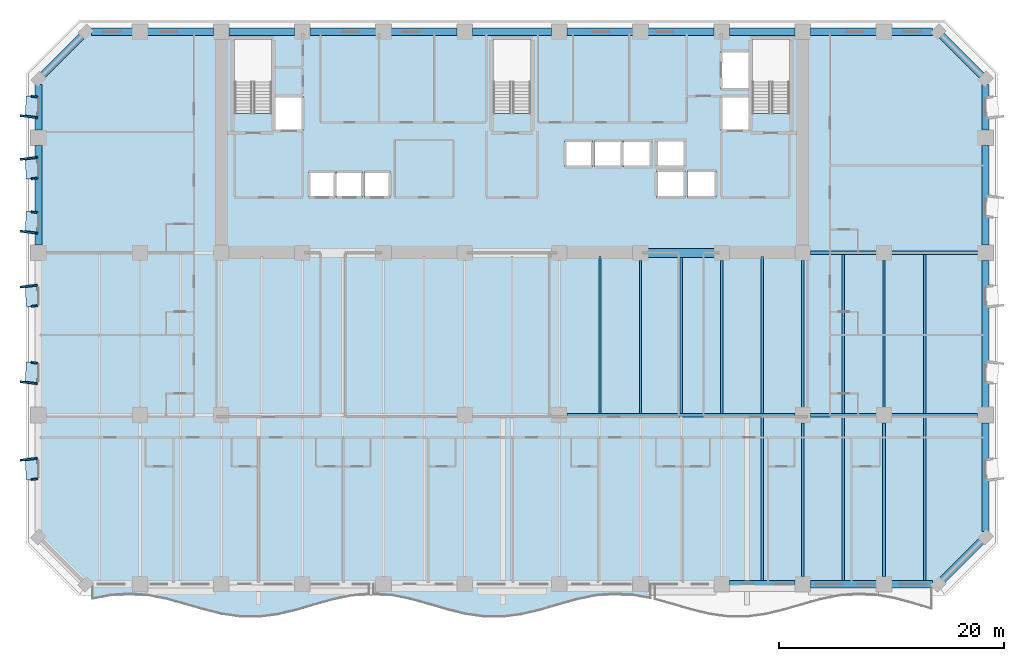
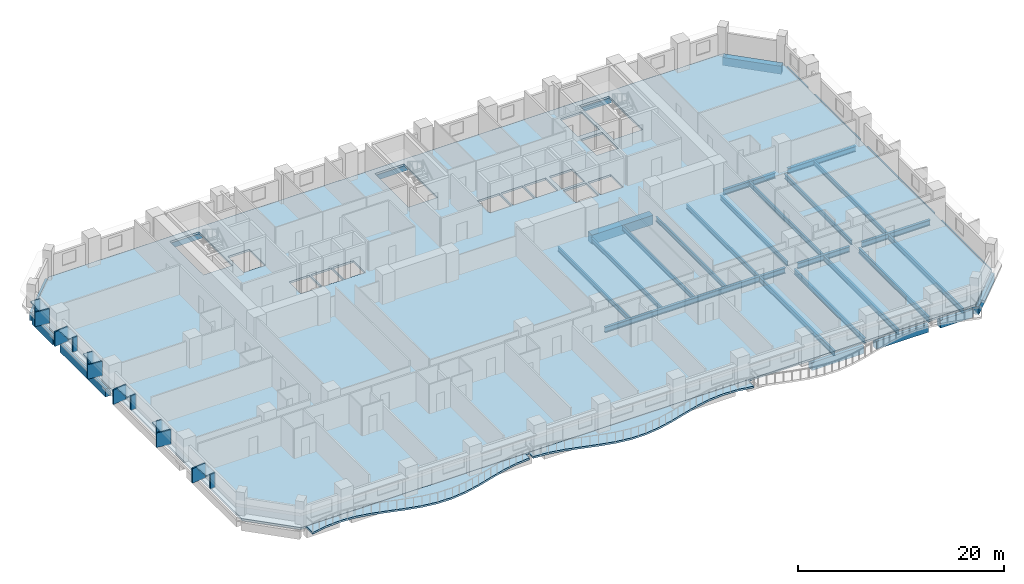
# One storey, part 2 of 15: 43 beams, 18 plates, 3 slabs.
"""IFC4 building model written with IfcOpenShell, lengths in metres."""

from ifc_helpers import new_model, si_unit, direction, frame, origin, origin_2d, place, context, subcontext, project, spatial, polyline, rectangle, i_section, outline, extrude, material, layer, layer_set, material_profile, profile_set, type_object, element, save


model = new_model("IFC4")

# Units and contexts
model_context = context("Model", 3, precision=1e-05, world=origin(), true_north=direction((0.0, 1.0)))
body_context = subcontext(model_context, "Body", "Model", "MODEL_VIEW")
ifc_project = project(units=[si_unit("LENGTHUNIT", "METRE"), si_unit("AREAUNIT", "SQUARE_METRE"), si_unit("VOLUMEUNIT", "CUBIC_METRE"), si_unit("PLANEANGLEUNIT", "RADIAN"), si_unit("MASSUNIT", "GRAM", prefix="KILO")], contexts=[model_context])

# Site, building, storey
site_placement = place(None, origin())
site = spatial("IfcSite", under=ifc_project, at=site_placement, CompositionType="ELEMENT")
building_placement = place(site_placement, origin())
building = spatial("IfcBuilding", under=site, at=building_placement, Name="Kaelvorn Grand Hotel", CompositionType="ELEMENT")
storey_placement = place(building_placement, frame((0.0, 0.0, 65.14990234375)))
storey = spatial("IfcBuildingStorey", under=building, at=storey_placement, Name="L14", CompositionType="ELEMENT", Elevation=65.14990234375)

# Beams
ifc_material_1 = material(Name="Steel S355", Category="steel")
ifc_material_profile_1 = material_profile(ifc_material_1, i_section(OverallWidth=0.300048828125, OverallDepth=0.64990234375, WebThickness=0.01611328125, FlangeThickness=0.031005859375, FilletRadius=0.027099609375, at=origin_2d()), Name="HEB 650")
ifc_profile_set_1 = profile_set([ifc_material_profile_1], Name="Steel S355")
beam_type_1 = type_object("IfcBeamType", Name="BM-G-HEB650-S355", PredefinedType="BEAM", material=ifc_profile_set_1)
beam_1_placement = place(storey_placement, frame((46.885009765625, 15.0, -0.56494140625), z_axis=(1.0, 0.0, 0.0), x_axis=(0.0, 1.0, 0.0)))
element("IfcBeam", 1, at=beam_1_placement, inside=storey, type_object=beam_type_1, Name="L14 Primary Spine Steel Girder G-15 05", PredefinedType="BEAM", context=body_context, shape_type="SweptSolid", body=[
    extrude(i_section(OverallWidth=0.300048828125, OverallDepth=0.64990234375, WebThickness=0.01611328125, FlangeThickness=0.031005859375, FilletRadius=0.027099609375, at=origin_2d()), origin(), (0.0, 0.0, 1.0), 20.22998046875),
])
beam_2_placement = place(storey_placement, frame((68.485107421875, 15.0, -0.56494140625), z_axis=(1.0, 0.0, 0.0), x_axis=(0.0, 1.0, 0.0)))
element("IfcBeam", 2, at=beam_2_placement, inside=storey, type_object=beam_type_1, Name="L14 Primary Spine Steel Girder G-15 06", PredefinedType="BEAM", context=body_context, shape_type="SweptSolid", body=[
    extrude(i_section(OverallWidth=0.300048828125, OverallDepth=0.64990234375, WebThickness=0.01611328125, FlangeThickness=0.031005859375, FilletRadius=0.027099609375, at=origin_2d()), origin(), (0.0, 0.0, 1.0), 5.829833984375),
])
beam_3_placement = place(storey_placement, frame((75.68505859375, 15.0, -0.56494140625), z_axis=(1.0, 0.0, 0.0), x_axis=(0.0, 1.0, 0.0)))
element("IfcBeam", 3, at=beam_3_placement, inside=storey, type_object=beam_type_1, Name="L14 Primary Spine Steel Girder G-15 07", PredefinedType="BEAM", context=body_context, shape_type="SweptSolid", body=[
    extrude(i_section(OverallWidth=0.300048828125, OverallDepth=0.64990234375, WebThickness=0.01611328125, FlangeThickness=0.031005859375, FilletRadius=0.027099609375, at=origin_2d()), origin(), (0.0, 0.0, 1.0), 7.6298828125),
])
beam_4_placement = place(storey_placement, frame((68.485107421875, 29.39990234375, -0.56494140625), z_axis=(1.0, 0.0, 0.0), x_axis=(0.0, 1.0, 0.0)))
element("IfcBeam", 4, at=beam_4_placement, inside=storey, type_object=beam_type_1, Name="L14 East Core Wing Steel Girder G-29E 01", PredefinedType="BEAM", context=body_context, shape_type="SweptSolid", body=[
    extrude(i_section(OverallWidth=0.300048828125, OverallDepth=0.64990234375, WebThickness=0.01611328125, FlangeThickness=0.031005859375, FilletRadius=0.027099609375, at=origin_2d()), origin(), (0.0, 0.0, 1.0), 5.829833984375),
])
beam_5_placement = place(storey_placement, frame((75.68505859375, 29.39990234375, -0.56494140625), z_axis=(1.0, 0.0, 0.0), x_axis=(0.0, 1.0, 0.0)))
element("IfcBeam", 5, at=beam_5_placement, inside=storey, type_object=beam_type_1, Name="L14 East Core Wing Steel Girder G-29E 02", PredefinedType="BEAM", context=body_context, shape_type="SweptSolid", body=[
    extrude(i_section(OverallWidth=0.300048828125, OverallDepth=0.64990234375, WebThickness=0.01611328125, FlangeThickness=0.031005859375, FilletRadius=0.027099609375, at=origin_2d()), origin(), (0.0, 0.0, 1.0), 7.6298828125),
])
ifc_material_profile_2 = material_profile(ifc_material_1, i_section(OverallWidth=0.209228515625, OverallDepth=0.533203125, WebThickness=0.010009765625, FlangeThickness=0.015625, FilletRadius=0.0126953125, at=origin_2d()), Name="UB 533x210x92")
ifc_profile_set_2 = profile_set([ifc_material_profile_2], Name="Steel S355")
beam_type_2 = type_object("IfcBeamType", Name="BM-J-UB533-S355", PredefinedType="JOIST", material=ifc_profile_set_2)
beam_6_placement = place(storey_placement, frame((49.800048828125, 15.135009765625, -0.50634765625), z_axis=(0.0, 1.0, 0.0), x_axis=(-1.0, 0.0, 0.0)))
element("IfcBeam", 6, at=beam_6_placement, inside=storey, type_object=beam_type_2, Name="L14 Composite Floor Joist JM-14", PredefinedType="JOIST", context=body_context, shape_type="SweptSolid", body=[
    extrude(i_section(OverallWidth=0.209228515625, OverallDepth=0.533203125, WebThickness=0.010009765625, FlangeThickness=0.015625, FilletRadius=0.0126953125, at=origin_2d()), origin(), (0.0, 0.0, 1.0), 13.925048828125),
])
beam_7_placement = place(storey_placement, frame((53.39990234375, 15.135009765625, -0.50634765625), z_axis=(0.0, 1.0, 0.0), x_axis=(-1.0, 0.0, 0.0)))
element("IfcBeam", 7, at=beam_7_placement, inside=storey, type_object=beam_type_2, Name="L14 Composite Floor Joist JM-15", PredefinedType="JOIST", context=body_context, shape_type="SweptSolid", body=[
    extrude(i_section(OverallWidth=0.209228515625, OverallDepth=0.533203125, WebThickness=0.010009765625, FlangeThickness=0.015625, FilletRadius=0.0126953125, at=origin_2d()), origin(), (0.0, 0.0, 1.0), 13.580078125),
])
beam_8_placement = place(storey_placement, frame((57.0, 15.135009765625, -0.50634765625), z_axis=(0.0, 1.0, 0.0), x_axis=(-1.0, 0.0, 0.0)))
element("IfcBeam", 8, at=beam_8_placement, inside=storey, type_object=beam_type_2, Name="L14 Composite Floor Joist JM-16", PredefinedType="JOIST", context=body_context, shape_type="SweptSolid", body=[
    extrude(i_section(OverallWidth=0.209228515625, OverallDepth=0.533203125, WebThickness=0.010009765625, FlangeThickness=0.015625, FilletRadius=0.0126953125, at=origin_2d()), origin(), (0.0, 0.0, 1.0), 13.925048828125),
])
beam_9_placement = place(storey_placement, frame((60.60009765625, 15.135009765625, -0.50634765625), z_axis=(0.0, 1.0, 0.0), x_axis=(-1.0, 0.0, 0.0)))
element("IfcBeam", 9, at=beam_9_placement, inside=storey, type_object=beam_type_2, Name="L14 Composite Floor Joist JM-17", PredefinedType="JOIST", context=body_context, shape_type="SweptSolid", body=[
    extrude(i_section(OverallWidth=0.209228515625, OverallDepth=0.533203125, WebThickness=0.010009765625, FlangeThickness=0.015625, FilletRadius=0.0126953125, at=origin_2d()), origin(), (0.0, 0.0, 1.0), 13.580078125),
])
beam_10_placement = place(storey_placement, frame((64.199951171875, 15.135009765625, -0.50634765625), z_axis=(0.0, 1.0, 0.0), x_axis=(-1.0, 0.0, 0.0)))
element("IfcBeam", 10, at=beam_10_placement, inside=storey, type_object=beam_type_2, Name="L14 Composite Floor Joist JM-18", PredefinedType="JOIST", context=body_context, shape_type="SweptSolid", body=[
    extrude(i_section(OverallWidth=0.209228515625, OverallDepth=0.533203125, WebThickness=0.010009765625, FlangeThickness=0.015625, FilletRadius=0.0126953125, at=origin_2d()), origin(), (0.0, 0.0, 1.0), 13.925048828125),
])
beam_11_placement = place(storey_placement, frame((67.800048828125, 15.68505859375, -0.50634765625), z_axis=(0.0, 1.0, 0.0), x_axis=(-1.0, 0.0, 0.0)))
element("IfcBeam", 11, at=beam_11_placement, inside=storey, type_object=beam_type_2, Name="L14 Composite Floor Joist JM-19", PredefinedType="JOIST", context=body_context, shape_type="SweptSolid", body=[
    extrude(i_section(OverallWidth=0.209228515625, OverallDepth=0.533203125, WebThickness=0.010009765625, FlangeThickness=0.015625, FilletRadius=0.0126953125, at=origin_2d()), origin(), (0.0, 0.0, 1.0), 13.030029296875),
])
beam_12_placement = place(storey_placement, frame((71.39990234375, 15.135009765625, -0.50634765625), z_axis=(0.0, 1.0, 0.0), x_axis=(-1.0, 0.0, 0.0)))
element("IfcBeam", 12, at=beam_12_placement, inside=storey, type_object=beam_type_2, Name="L14 Composite Floor Joist JM-20", PredefinedType="JOIST", context=body_context, shape_type="SweptSolid", body=[
    extrude(i_section(OverallWidth=0.209228515625, OverallDepth=0.533203125, WebThickness=0.010009765625, FlangeThickness=0.015625, FilletRadius=0.0126953125, at=origin_2d()), origin(), (0.0, 0.0, 1.0), 14.1298828125),
])
beam_13_placement = place(storey_placement, frame((75.0, 15.68505859375, -0.50634765625), z_axis=(0.0, 1.0, 0.0), x_axis=(-1.0, 0.0, 0.0)))
element("IfcBeam", 13, at=beam_13_placement, inside=storey, type_object=beam_type_2, Name="L14 Composite Floor Joist JM-21", PredefinedType="JOIST", context=body_context, shape_type="SweptSolid", body=[
    extrude(i_section(OverallWidth=0.209228515625, OverallDepth=0.533203125, WebThickness=0.010009765625, FlangeThickness=0.015625, FilletRadius=0.0126953125, at=origin_2d()), origin(), (0.0, 0.0, 1.0), 13.030029296875),
])
beam_14_placement = place(storey_placement, frame((78.60009765625, 15.135009765625, -0.50634765625), z_axis=(0.0, 1.0, 0.0), x_axis=(-1.0, 0.0, 0.0)))
element("IfcBeam", 14, at=beam_14_placement, inside=storey, type_object=beam_type_2, Name="L14 Composite Floor Joist JM-22", PredefinedType="JOIST", context=body_context, shape_type="SweptSolid", body=[
    extrude(i_section(OverallWidth=0.209228515625, OverallDepth=0.533203125, WebThickness=0.010009765625, FlangeThickness=0.015625, FilletRadius=0.0126953125, at=origin_2d()), origin(), (0.0, 0.0, 1.0), 14.1298828125),
])
ifc_material_profile_3 = material_profile(ifc_material_1, i_section(OverallWidth=0.22900390625, OverallDepth=0.6123046875, WebThickness=0.011962890625, FlangeThickness=0.01953125, FilletRadius=0.0126953125, at=origin_2d()), Name="UB 610x229x125")
ifc_profile_set_3 = profile_set([ifc_material_profile_3], Name="Steel S355")
beam_type_3 = type_object("IfcBeamType", Name="BM-J-UB610-S355", PredefinedType="JOIST", material=ifc_profile_set_3)
beam_15_placement = place(storey_placement, frame((64.199951171875, 0.31005859375, -0.5458984375), z_axis=(0.0, 1.0, 0.0), x_axis=(-1.0, 0.0, 0.0)))
element("IfcBeam", 15, at=beam_15_placement, inside=storey, type_object=beam_type_3, Name="L14 Composite Floor Joist JS-18", PredefinedType="JOIST", context=body_context, shape_type="SweptSolid", body=[
    extrude(i_section(OverallWidth=0.22900390625, OverallDepth=0.6123046875, WebThickness=0.011962890625, FlangeThickness=0.01953125, FilletRadius=0.0126953125, at=origin_2d()), origin(), (0.0, 0.0, 1.0), 14.554931640625),
])
beam_16_placement = place(storey_placement, frame((67.800048828125, 0.68505859375, -0.5458984375), z_axis=(0.0, 1.0, 0.0), x_axis=(-1.0, 0.0, 0.0)))
element("IfcBeam", 16, at=beam_16_placement, inside=storey, type_object=beam_type_3, Name="L14 Composite Floor Joist JS-19", PredefinedType="JOIST", context=body_context, shape_type="SweptSolid", body=[
    extrude(i_section(OverallWidth=0.22900390625, OverallDepth=0.6123046875, WebThickness=0.011962890625, FlangeThickness=0.01953125, FilletRadius=0.0126953125, at=origin_2d()), origin(), (0.0, 0.0, 1.0), 13.6298828125),
])
beam_17_placement = place(storey_placement, frame((71.39990234375, 0.31005859375, -0.5458984375), z_axis=(0.0, 1.0, 0.0), x_axis=(-1.0, 0.0, 0.0)))
element("IfcBeam", 17, at=beam_17_placement, inside=storey, type_object=beam_type_3, Name="L14 Composite Floor Joist JS-20", PredefinedType="JOIST", context=body_context, shape_type="SweptSolid", body=[
    extrude(i_section(OverallWidth=0.22900390625, OverallDepth=0.6123046875, WebThickness=0.011962890625, FlangeThickness=0.01953125, FilletRadius=0.0126953125, at=origin_2d()), origin(), (0.0, 0.0, 1.0), 14.554931640625),
])
beam_18_placement = place(storey_placement, frame((75.0, 0.68505859375, -0.5458984375), z_axis=(0.0, 1.0, 0.0), x_axis=(-1.0, 0.0, 0.0)))
element("IfcBeam", 18, at=beam_18_placement, inside=storey, type_object=beam_type_3, Name="L14 Composite Floor Joist JS-21", PredefinedType="JOIST", context=body_context, shape_type="SweptSolid", body=[
    extrude(i_section(OverallWidth=0.22900390625, OverallDepth=0.6123046875, WebThickness=0.011962890625, FlangeThickness=0.01953125, FilletRadius=0.0126953125, at=origin_2d()), origin(), (0.0, 0.0, 1.0), 13.6298828125),
])
beam_19_placement = place(storey_placement, frame((78.60009765625, 0.31005859375, -0.5458984375), z_axis=(0.0, 1.0, 0.0), x_axis=(-1.0, 0.0, 0.0)))
element("IfcBeam", 19, at=beam_19_placement, inside=storey, type_object=beam_type_3, Name="L14 Composite Floor Joist JS-22", PredefinedType="JOIST", context=body_context, shape_type="SweptSolid", body=[
    extrude(i_section(OverallWidth=0.22900390625, OverallDepth=0.6123046875, WebThickness=0.011962890625, FlangeThickness=0.01953125, FilletRadius=0.0126953125, at=origin_2d()), origin(), (0.0, 0.0, 1.0), 14.554931640625),
])
ifc_material_2 = material(Name="Concrete C60/75", Category="concrete")
ifc_material_profile_4 = material_profile(ifc_material_2, rectangle(XDim=0.800048828125, YDim=1.10009765625, at=origin_2d()), Name="RC LINTEL 800x1100")
ifc_profile_set_4 = profile_set([ifc_material_profile_4], Name="Concrete C60/75")
beam_type_4 = type_object("IfcBeamType", Name="BM-LIN-800x1100-C60", PredefinedType="LINTEL", material=ifc_profile_set_4)
beam_20_placement = place(storey_placement, frame((53.580078125, 29.39990234375, -0.789794921875), z_axis=(1.0, 0.0, 0.0), x_axis=(0.0, 1.0, 0.0)))
element("IfcBeam", 20, at=beam_20_placement, inside=storey, type_object=beam_type_4, Name="L14 Rear-Core Coupling Lintel Beam CB1-03", PredefinedType="LINTEL", context=body_context, shape_type="SweptSolid", body=[
    extrude(rectangle(XDim=0.800048828125, YDim=1.10009765625, at=origin_2d()), origin(), (0.0, 0.0, 1.0), 6.83984375),
])
ifc_material_profile_5 = material_profile(ifc_material_2, rectangle(XDim=0.64990234375, YDim=0.949951171875, at=origin_2d()), Name="RC SPANDREL 650x950")
ifc_profile_set_5 = profile_set([ifc_material_profile_5], Name="Concrete C60/75")
beam_type_5 = type_object("IfcBeamType", Name="BM-SP-650x950-C60", PredefinedType="SPANDREL", material=ifc_profile_set_5)
beam_21_placement = place(storey_placement, frame((61.284912109375, 0.0, -0.71484375), z_axis=(1.0, 0.0, 0.0), x_axis=(0.0, 1.0, 0.0)))
element("IfcBeam", 21, at=beam_21_placement, inside=storey, type_object=beam_type_5, Name="L14 South Perimeter Spandrel 09", PredefinedType="SPANDREL", context=body_context, shape_type="SweptSolid", body=[
    extrude(rectangle(XDim=0.64990234375, YDim=0.949951171875, at=origin_2d()), origin(), (0.0, 0.0, 1.0), 5.830078125),
])
beam_22_placement = place(storey_placement, frame((68.485107421875, 0.0, -0.71484375), z_axis=(1.0, 0.0, 0.0), x_axis=(0.0, 1.0, 0.0)))
element("IfcBeam", 22, at=beam_22_placement, inside=storey, type_object=beam_type_5, Name="L14 South Perimeter Spandrel 10", PredefinedType="SPANDREL", context=body_context, shape_type="SweptSolid", body=[
    extrude(rectangle(XDim=0.64990234375, YDim=0.949951171875, at=origin_2d()), origin(), (0.0, 0.0, 1.0), 5.829833984375),
])
for number, where, z_axis, x_axis, name in (
    (23, (75.68505859375, 0.0, -0.71484375), (1.0, 0.0, 0.0), (0.0, 1.0, 0.0), "L14 South Perimeter Spandrel 11"),
    (24, (4.68505859375, 49.0, -0.71484375), (1.0, 0.0, 0.0), (0.0, 1.0, 0.0), "L14 North Perimeter Spandrel 01"),
):
    element("IfcBeam", number, at=place(storey_placement, frame(where, z_axis=z_axis, x_axis=x_axis)), inside=storey, type_object=beam_type_5, Name=name, PredefinedType="SPANDREL", context=body_context, shape_type="SweptSolid", body=[
        extrude(rectangle(XDim=0.64990234375, YDim=0.949951171875, at=origin_2d()), origin(), (0.0, 0.0, 1.0), 3.6298828125),
    ])
beam_23_placement = place(storey_placement, frame((9.68505859375, 49.0, -0.71484375), z_axis=(1.0, 0.0, 0.0), x_axis=(0.0, 1.0, 0.0)))
element("IfcBeam", 25, at=beam_23_placement, inside=storey, type_object=beam_type_5, Name="L14 North Perimeter Spandrel 02", PredefinedType="SPANDREL", context=body_context, shape_type="SweptSolid", body=[
    extrude(rectangle(XDim=0.64990234375, YDim=0.949951171875, at=origin_2d()), origin(), (0.0, 0.0, 1.0), 5.829833984375),
])
for number, where, z_axis, x_axis, name in (
    (26, (16.885009765625, 49.0, -0.71484375), (1.0, 0.0, 0.0), (0.0, 1.0, 0.0), "L14 North Perimeter Spandrel 03"),
    (27, (24.0849609375, 49.0, -0.71484375), (1.0, 0.0, 0.0), (0.0, 1.0, 0.0), "L14 North Perimeter Spandrel 04"),
    (28, (31.284912109375, 49.0, -0.71484375), (1.0, 0.0, 0.0), (0.0, 1.0, 0.0), "L14 North Perimeter Spandrel 05"),
):
    element("IfcBeam", number, at=place(storey_placement, frame(where, z_axis=z_axis, x_axis=x_axis)), inside=storey, type_object=beam_type_5, Name=name, PredefinedType="SPANDREL", context=body_context, shape_type="SweptSolid", body=[
        extrude(rectangle(XDim=0.64990234375, YDim=0.949951171875, at=origin_2d()), origin(), (0.0, 0.0, 1.0), 5.830078125),
    ])
beam_24_placement = place(storey_placement, frame((38.485107421875, 49.0, -0.71484375), z_axis=(1.0, 0.0, 0.0), x_axis=(0.0, 1.0, 0.0)))
element("IfcBeam", 29, at=beam_24_placement, inside=storey, type_object=beam_type_5, Name="L14 North Perimeter Spandrel 06", PredefinedType="SPANDREL", context=body_context, shape_type="SweptSolid", body=[
    extrude(rectangle(XDim=0.64990234375, YDim=0.949951171875, at=origin_2d()), origin(), (0.0, 0.0, 1.0), 7.02978515625),
])
for number, where, z_axis, x_axis, name in (
    (30, (46.885009765625, 49.0, -0.71484375), (1.0, 0.0, 0.0), (0.0, 1.0, 0.0), "L14 North Perimeter Spandrel 07"),
    (31, (54.0849609375, 49.0, -0.71484375), (1.0, 0.0, 0.0), (0.0, 1.0, 0.0), "L14 North Perimeter Spandrel 08"),
    (32, (61.284912109375, 49.0, -0.71484375), (1.0, 0.0, 0.0), (0.0, 1.0, 0.0), "L14 North Perimeter Spandrel 09"),
):
    element("IfcBeam", number, at=place(storey_placement, frame(where, z_axis=z_axis, x_axis=x_axis)), inside=storey, type_object=beam_type_5, Name=name, PredefinedType="SPANDREL", context=body_context, shape_type="SweptSolid", body=[
        extrude(rectangle(XDim=0.64990234375, YDim=0.949951171875, at=origin_2d()), origin(), (0.0, 0.0, 1.0), 5.830078125),
    ])
beam_25_placement = place(storey_placement, frame((68.485107421875, 49.0, -0.71484375), z_axis=(1.0, 0.0, 0.0), x_axis=(0.0, 1.0, 0.0)))
element("IfcBeam", 33, at=beam_25_placement, inside=storey, type_object=beam_type_5, Name="L14 North Perimeter Spandrel 10", PredefinedType="SPANDREL", context=body_context, shape_type="SweptSolid", body=[
    extrude(rectangle(XDim=0.64990234375, YDim=0.949951171875, at=origin_2d()), origin(), (0.0, 0.0, 1.0), 5.829833984375),
])
beam_26_placement = place(storey_placement, frame((75.68505859375, 49.0, -0.71484375), z_axis=(1.0, 0.0, 0.0), x_axis=(0.0, 1.0, 0.0)))
element("IfcBeam", 34, at=beam_26_placement, inside=storey, type_object=beam_type_5, Name="L14 North Perimeter Spandrel 11", PredefinedType="SPANDREL", context=body_context, shape_type="SweptSolid", body=[
    extrude(rectangle(XDim=0.64990234375, YDim=0.949951171875, at=origin_2d()), origin(), (0.0, 0.0, 1.0), 3.6298828125),
])
beam_27_placement = place(storey_placement, frame((0.0, 30.0849609375, -0.71484375), z_axis=(0.0, 1.0, 0.0), x_axis=(-1.0, 0.0, 0.0)))
element("IfcBeam", 35, at=beam_27_placement, inside=storey, type_object=beam_type_5, Name="L14 West Perimeter Spandrel 03", PredefinedType="SPANDREL", context=body_context, shape_type="SweptSolid", body=[
    extrude(rectangle(XDim=0.64990234375, YDim=0.949951171875, at=origin_2d()), origin(), (0.0, 0.0, 1.0), 8.830078125),
])
beam_28_placement = place(storey_placement, frame((0.0, 40.284912109375, -0.71484375), z_axis=(0.0, 1.0, 0.0), x_axis=(-1.0, 0.0, 0.0)))
element("IfcBeam", 36, at=beam_28_placement, inside=storey, type_object=beam_type_5, Name="L14 West Perimeter Spandrel 04", PredefinedType="SPANDREL", context=body_context, shape_type="SweptSolid", body=[
    extrude(rectangle(XDim=0.64990234375, YDim=0.949951171875, at=origin_2d()), origin(), (0.0, 0.0, 1.0), 4.030029296875),
])
beam_29_placement = place(storey_placement, frame((84.0, 4.68505859375, -0.71484375), z_axis=(0.0, 1.0, 0.0), x_axis=(-1.0, 0.0, 0.0)))
element("IfcBeam", 37, at=beam_29_placement, inside=storey, type_object=beam_type_5, Name="L14 East Perimeter Spandrel 01", PredefinedType="SPANDREL", context=body_context, shape_type="SweptSolid", body=[
    extrude(rectangle(XDim=0.64990234375, YDim=0.949951171875, at=origin_2d()), origin(), (0.0, 0.0, 1.0), 9.6298828125),
])
beam_30_placement = place(storey_placement, frame((84.0, 15.68505859375, -0.71484375), z_axis=(0.0, 1.0, 0.0), x_axis=(-1.0, 0.0, 0.0)))
element("IfcBeam", 38, at=beam_30_placement, inside=storey, type_object=beam_type_5, Name="L14 East Perimeter Spandrel 02", PredefinedType="SPANDREL", context=body_context, shape_type="SweptSolid", body=[
    extrude(rectangle(XDim=0.64990234375, YDim=0.949951171875, at=origin_2d()), origin(), (0.0, 0.0, 1.0), 13.030029296875),
])
beam_31_placement = place(storey_placement, frame((84.0, 30.0849609375, -0.71484375), z_axis=(0.0, 1.0, 0.0), x_axis=(-1.0, 0.0, 0.0)))
element("IfcBeam", 39, at=beam_31_placement, inside=storey, type_object=beam_type_5, Name="L14 East Perimeter Spandrel 03", PredefinedType="SPANDREL", context=body_context, shape_type="SweptSolid", body=[
    extrude(rectangle(XDim=0.64990234375, YDim=0.949951171875, at=origin_2d()), origin(), (0.0, 0.0, 1.0), 8.830078125),
])
beam_32_placement = place(storey_placement, frame((84.0, 40.284912109375, -0.71484375), z_axis=(0.0, 1.0, 0.0), x_axis=(-1.0, 0.0, 0.0)))
element("IfcBeam", 40, at=beam_32_placement, inside=storey, type_object=beam_type_5, Name="L14 East Perimeter Spandrel 04", PredefinedType="SPANDREL", context=body_context, shape_type="SweptSolid", body=[
    extrude(rectangle(XDim=0.64990234375, YDim=0.949951171875, at=origin_2d()), origin(), (0.0, 0.0, 1.0), 4.030029296875),
])
for number, where, z_axis, x_axis, name in (
    (41, (79.800048828125, 0.0, -0.71484375), (0.707106781187, 0.707106781187, 0.0), (-0.707106781187, 0.707106781187, 0.0), "L14 Chamfer Spandrel Beam 1"),
    (42, (84.0, 44.800048828125, -0.71484375), (-0.707106781187, 0.707106781187, 0.0), (-0.707106781187, -0.707106781187, 0.0), "L14 Chamfer Spandrel Beam 2"),
    (43, (4.199951171875, 49.0, -0.71484375), (-0.707106781187, -0.707106781187, 0.0), (0.707106781187, -0.707106781187, 0.0), "L14 Chamfer Spandrel Beam 3"),
):
    element("IfcBeam", number, at=place(storey_placement, frame(where, z_axis=z_axis, x_axis=x_axis)), inside=storey, type_object=beam_type_5, Name=name, PredefinedType="SPANDREL", context=body_context, shape_type="SweptSolid", body=[
        extrude(rectangle(XDim=0.64990234375, YDim=0.949951171875, at=origin_2d()), origin(), (0.0, 0.0, 1.0), 5.939697265625),
    ])

# Plates
ifc_material_3 = material(Name="Precast concrete C45/55", Category="concrete")
ifc_layer_1 = layer(ifc_material_3, 0.159912109375)
ifc_layer_set_1 = layer_set([ifc_layer_1], Name="Precast concrete C45/55")
plate_type_1 = type_object("IfcPlateType", Name="PL-FRAME-DEEP-1550", PredefinedType="USERDEFINED", material=ifc_layer_set_1)
for number, where, z_axis, x_axis, name in (
    (44, (-0.864990234375, 11.090087890625, 0.68994140625), (0.0, 0.0, 1.0), (-0.121869343405, 0.992546151641, 0.0), "L14 Tilted Precast Window Frame Fin R-W01"),
    (45, (-0.864990234375, 17.8701171875, 0.68994140625), (0.0, 0.0, 1.0), (0.121869343405, 0.992546151641, 0.0), "L14 Tilted Precast Window Frame Fin L-W02"),
    (46, (-0.864990234375, 26.449951171875, 0.68994140625), (0.0, 0.0, 1.0), (-0.121869343405, 0.992546151641, 0.0), "L14 Tilted Precast Window Frame Fin R-W03"),
    (47, (-0.864990234375, 31.22509765625, 0.68994140625), (0.0, 0.0, 1.0), (0.121869343405, 0.992546151641, 0.0), "L14 Tilted Precast Window Frame Fin L-W04"),
    (48, (-0.864990234375, 37.77490234375, 0.68994140625), (0.0, 0.0, 1.0), (-0.121869343405, 0.992546151641, 0.0), "L14 Tilted Precast Window Frame Fin R-W05"),
    (49, (-0.864990234375, 41.47509765625, 0.68994140625), (0.0, 0.0, 1.0), (0.121869343405, 0.992546151641, 0.0), "L14 Tilted Precast Window Frame Fin L-W06"),
):
    element("IfcPlate", number, at=place(storey_placement, frame(where, z_axis=z_axis, x_axis=x_axis)), inside=storey, type_object=plate_type_1, Name=name, ObjectType="FLANGE_PLATE", PredefinedType="USERDEFINED", context=body_context, shape_type="SweptSolid", body=[
        extrude(rectangle(XDim=0.159912109375, YDim=1.550048828125, at=origin_2d()), origin(), (0.0, 0.0, 1.0), 1.719970703125),
    ])
ifc_layer_2 = layer(ifc_material_3, 0.159912109375)
ifc_layer_set_2 = layer_set([ifc_layer_2], Name="Precast concrete C45/55")
plate_type_2 = type_object("IfcPlateType", Name="PL-FRAME-HEAD-1050", PredefinedType="USERDEFINED", material=ifc_layer_set_2)
for number, where, z_axis, x_axis, name in (
    (50, (-0.614990234375, 10.199951171875, 2.25), (0.0, 0.0, 1.0), (-0.054950179912, 0.998489097451, 0.0), "L14 Precast Window Frame Head Hood H-W01"),
    (51, (-0.614990234375, 18.760009765625, 2.25), (0.0, 0.0, 1.0), (0.054950179912, 0.998489097451, 0.0), "L14 Precast Window Frame Head Hood H-W02"),
    (52, (-0.614990234375, 25.56005859375, 2.25), (0.0, 0.0, 1.0), (-0.054950179912, 0.998489097451, 0.0), "L14 Precast Window Frame Head Hood H-W03"),
    (53, (-0.614990234375, 32.114990234375, 2.25), (0.0, 0.0, 1.0), (0.054950179912, 0.998489097451, 0.0), "L14 Precast Window Frame Head Hood H-W04"),
    (54, (-0.614990234375, 36.885009765625, 2.25), (0.0, 0.0, 1.0), (-0.054950179912, 0.998489097451, 0.0), "L14 Precast Window Frame Head Hood H-W05"),
    (55, (-0.614990234375, 42.364990234375, 2.25), (0.0, 0.0, 1.0), (0.054950179912, 0.998489097451, 0.0), "L14 Precast Window Frame Head Hood H-W06"),
):
    element("IfcPlate", number, at=place(storey_placement, frame(where, z_axis=z_axis, x_axis=x_axis)), inside=storey, type_object=plate_type_2, Name=name, ObjectType="FLANGE_PLATE", PredefinedType="USERDEFINED", context=body_context, shape_type="SweptSolid", body=[
        extrude(rectangle(XDim=1.860107421875, YDim=1.050048828125, at=origin_2d()), origin(), (0.0, 0.0, 1.0), 0.159912109375),
    ])
ifc_layer_3 = layer(ifc_material_3, 0.159912109375)
ifc_layer_set_3 = layer_set([ifc_layer_3], Name="Precast concrete C45/55")
plate_type_3 = type_object("IfcPlateType", Name="PL-FRAME-SHAL-550", PredefinedType="USERDEFINED", material=ifc_layer_set_3)
for number, where, z_axis, x_axis, name in (
    (56, (-0.364990234375, 9.31005859375, 0.68994140625), (0.0, 0.0, 1.0), (-0.121869343405, 0.992546151641, 0.0), "L14 Tilted Precast Window Frame Fin L-W01"),
    (57, (-0.364990234375, 19.64990234375, 0.68994140625), (0.0, 0.0, 1.0), (0.121869343405, 0.992546151641, 0.0), "L14 Tilted Precast Window Frame Fin R-W02"),
    (58, (-0.364990234375, 24.669921875, 0.68994140625), (0.0, 0.0, 1.0), (-0.121869343405, 0.992546151641, 0.0), "L14 Tilted Precast Window Frame Fin L-W03"),
    (59, (-0.364990234375, 33.0048828125, 0.68994140625), (0.0, 0.0, 1.0), (0.121869343405, 0.992546151641, 0.0), "L14 Tilted Precast Window Frame Fin R-W04"),
    (60, (-0.364990234375, 35.9951171875, 0.68994140625), (0.0, 0.0, 1.0), (-0.121869343405, 0.992546151641, 0.0), "L14 Tilted Precast Window Frame Fin L-W05"),
    (61, (-0.364990234375, 43.2548828125, 0.68994140625), (0.0, 0.0, 1.0), (0.121869343405, 0.992546151641, 0.0), "L14 Tilted Precast Window Frame Fin R-W06"),
):
    element("IfcPlate", number, at=place(storey_placement, frame(where, z_axis=z_axis, x_axis=x_axis)), inside=storey, type_object=plate_type_3, Name=name, ObjectType="FLANGE_PLATE", PredefinedType="USERDEFINED", context=body_context, shape_type="SweptSolid", body=[
        extrude(rectangle(XDim=0.159912109375, YDim=0.550048828125, at=origin_2d()), origin(), (0.0, 0.0, 1.0), 1.719970703125),
    ])

# Slabs
ifc_material_4 = material(Name="Concrete C40/50", Category="concrete")
ifc_layer_4 = layer(ifc_material_4, 0.219970703125)
ifc_layer_set_4 = layer_set([ifc_layer_4], Name="Concrete C40/50")
slab_type_1 = type_object("IfcSlabType", Name="SLB-BALC-220-C40", PredefinedType="FLOOR", material=ifc_layer_set_4)
slab_1_placement = place(storey_placement, frame((0.0, 0.0, -0.219970703125)))
element("IfcSlab", 62, at=slab_1_placement, inside=storey, type_object=slab_type_1, Name="L14 Scalloped Wave Balcony Slab 1", PredefinedType="FLOOR", context=body_context, shape_type="SweptSolid", body=[
    extrude(outline(polyline([(4.800048828125, -1.2724609375), (6.435546875, -0.959716796875), (8.071044921875, -0.85009765625), (9.706787109375, -0.968017578125), (11.34228515625, -1.28759765625), (12.977783203125, -1.737548828125), (14.61328125, -2.218017578125), (16.248779296875, -2.622314453125), (17.884521484375, -2.860595703125), (19.52001953125, -2.880126953125), (21.155517578125, -2.676025390625), (22.791015625, -2.29443359375), (24.4267578125, -1.8193359375), (26.062255859375, -1.356689453125), (27.69775390625, -1.00927734375), (29.333251953125, -0.85400390625), (29.333251953125, 0.0), (4.800048828125, 0.0), (4.800048828125, -1.2724609375)])), origin(), (0.0, 0.0, 1.0), 0.219970703125),
])
slab_2_placement = place(storey_placement, frame((0.0, 0.0, -0.219970703125)))
element("IfcSlab", 63, at=slab_2_placement, inside=storey, type_object=slab_type_1, Name="L14 Scalloped Wave Balcony Slab 2", PredefinedType="FLOOR", context=body_context, shape_type="SweptSolid", body=[
    extrude(outline(polyline([(29.7333984375, -0.850341796875), (31.368896484375, -0.976806640625), (33.00439453125, -1.302978515625), (34.639892578125, -1.756103515625), (36.275634765625, -2.235595703125), (37.9111328125, -2.635009765625), (39.546630859375, -2.865478515625), (41.18212890625, -2.876220703125), (42.81787109375, -2.66455078125), (44.453369140625, -2.27734375), (46.0888671875, -1.80078125), (47.724365234375, -1.3408203125), (49.360107421875, -0.99951171875), (50.99560546875, -0.8525390625), (52.631103515625, -0.932861328125), (54.2666015625, -1.22216796875), (54.2666015625, 0.0), (29.7333984375, 0.0), (29.7333984375, -0.850341796875)])), origin(), (0.0, 0.0, 1.0), 0.219970703125),
])
ifc_layer_5 = layer(ifc_material_4, 0.239990234375)
ifc_layer_set_5 = layer_set([ifc_layer_5], Name="Concrete C40/50")
slab_type_2 = type_object("IfcSlabType", Name="SLB-FLR-240-C40", PredefinedType="FLOOR", material=ifc_layer_set_5)
slab_3_placement = place(storey_placement, frame((0.0, 0.0, -0.239990234375)))
element("IfcSlab", 64, at=slab_3_placement, inside=storey, type_object=slab_type_2, Name="L14 Indoor Suspended Floor Slab", PredefinedType="FLOOR", context=body_context, shape_type="SweptSolid", body=[
    extrude(outline(polyline([(4.199951171875, 0.0), (79.800048828125, 0.0), (84.0, 4.199951171875), (84.0, 44.800048828125), (79.800048828125, 49.0), (4.199951171875, 49.0), (0.0, 44.800048828125), (0.0, 4.199951171875), (4.199951171875, 0.0)]), holes=[polyline([(17.39990234375, 41.760009765625), (17.39990234375, 48.300048828125), (20.679931640625, 48.300048828125), (20.679931640625, 41.760009765625), (17.39990234375, 41.760009765625)]), polyline([(40.360107421875, 41.760009765625), (40.360107421875, 48.300048828125), (43.639892578125, 48.300048828125), (43.639892578125, 41.760009765625), (40.360107421875, 41.760009765625)]), polyline([(63.320068359375, 41.760009765625), (63.320068359375, 48.300048828125), (66.60009765625, 48.300048828125), (66.60009765625, 41.760009765625), (63.320068359375, 41.760009765625)]), polyline([(24.0, 34.300048828125), (24.0, 36.60009765625), (26.300048828125, 36.60009765625), (26.300048828125, 34.300048828125), (24.0, 34.300048828125)]), polyline([(26.449951171875, 34.300048828125), (26.449951171875, 36.60009765625), (28.75, 36.60009765625), (28.75, 34.300048828125), (26.449951171875, 34.300048828125)]), polyline([(28.89990234375, 34.300048828125), (28.89990234375, 36.60009765625), (31.199951171875, 36.60009765625), (31.199951171875, 34.300048828125), (28.89990234375, 34.300048828125)]), polyline([(46.699951171875, 37.0), (46.699951171875, 39.35009765625), (49.14990234375, 39.35009765625), (49.14990234375, 37.0), (46.699951171875, 37.0)]), polyline([(49.300048828125, 37.0), (49.300048828125, 39.35009765625), (51.75, 39.35009765625), (51.75, 37.0), (49.300048828125, 37.0)]), polyline([(51.89990234375, 37.0), (51.89990234375, 39.35009765625), (54.35009765625, 39.35009765625), (54.35009765625, 37.0), (51.89990234375, 37.0)]), polyline([(54.800048828125, 34.300048828125), (54.800048828125, 36.699951171875), (57.35009765625, 36.699951171875), (57.35009765625, 34.300048828125), (54.800048828125, 34.300048828125)]), polyline([(57.550048828125, 34.300048828125), (57.550048828125, 36.699951171875), (60.10009765625, 36.699951171875), (60.10009765625, 34.300048828125), (57.550048828125, 34.300048828125)]), polyline([(54.800048828125, 37.0), (54.800048828125, 39.39990234375), (57.35009765625, 39.39990234375), (57.35009765625, 37.0), (54.800048828125, 37.0)]), polyline([(21.0, 40.199951171875), (21.0, 43.300048828125), (23.449951171875, 43.300048828125), (23.449951171875, 40.199951171875), (21.0, 40.199951171875)]), polyline([(60.550048828125, 40.199951171875), (60.550048828125, 43.300048828125), (63.0, 43.300048828125), (63.0, 40.199951171875), (60.550048828125, 40.199951171875)]), polyline([(60.550048828125, 43.89990234375), (60.550048828125, 47.300048828125), (63.0, 47.300048828125), (63.0, 43.89990234375), (60.550048828125, 43.89990234375)])]), origin(), (0.0, 0.0, 1.0), 0.239990234375),
])

save(model, "model.ifc")
